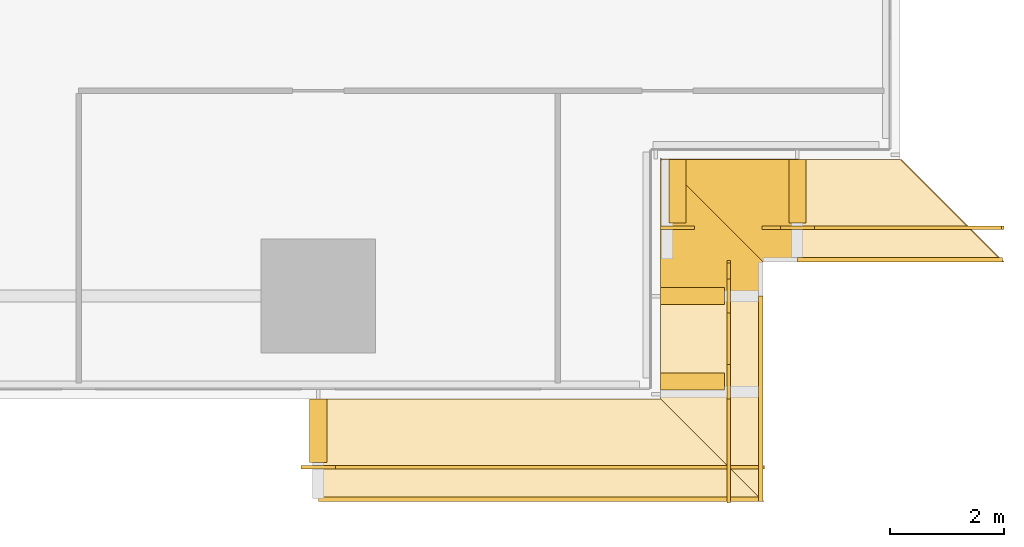
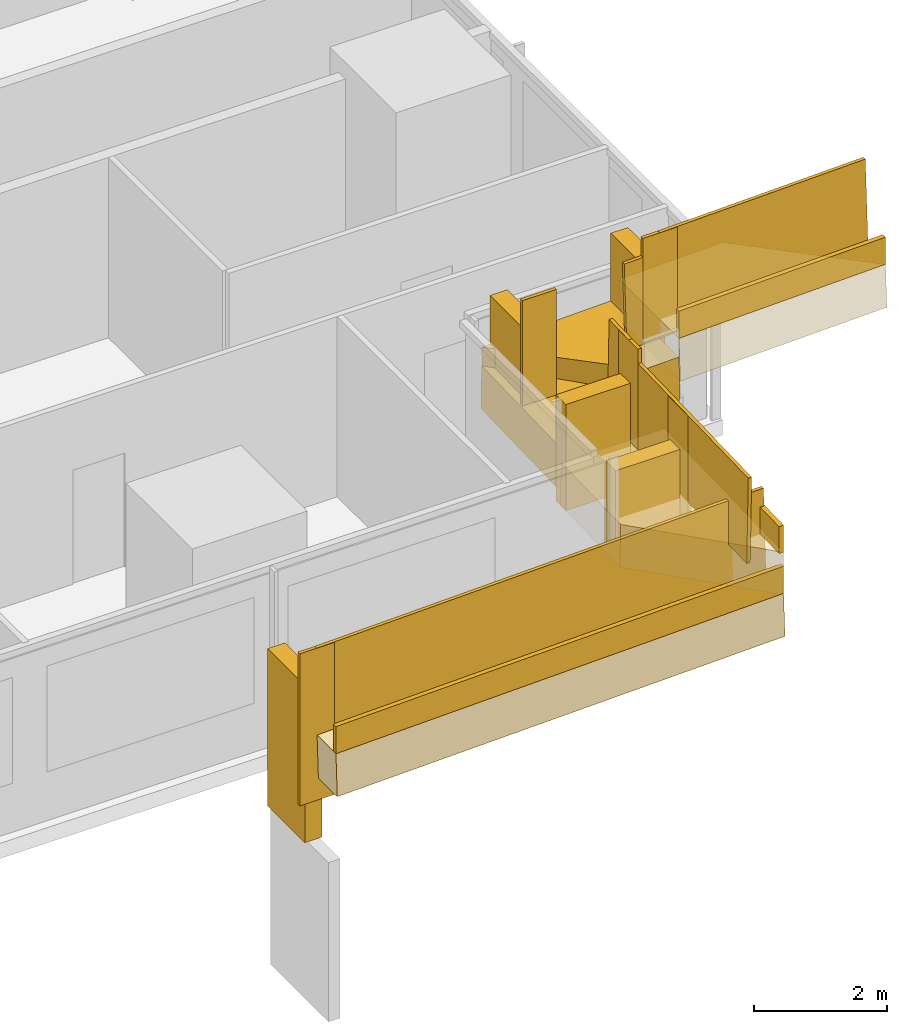
# One storey, part 28 of 30: 13 coverings, 10 railings.
"""IFC4 building model written with IfcOpenShell, lengths in metres."""

from ifc_helpers import new_model, si_unit, direction, frame, origin, origin_2d, place, context, subcontext, project, spatial, polyline, rectangle, outline, extrude, material, layer, layer_set, type_object, element, save


model = new_model("IFC4")

# Units and contexts
model_context = context("Model", 3, precision=1e-05, world=origin(), true_north=direction((0.0, 1.0)))
body_context = subcontext(model_context, "Body", "Model", "MODEL_VIEW")
ifc_project = project(units=[si_unit("LENGTHUNIT", "METRE"), si_unit("AREAUNIT", "SQUARE_METRE"), si_unit("VOLUMEUNIT", "CUBIC_METRE"), si_unit("PLANEANGLEUNIT", "RADIAN"), si_unit("MASSUNIT", "GRAM", prefix="KILO")], contexts=[model_context])

# Site, building, storey
site_placement = place(None, origin())
site = spatial("IfcSite", under=ifc_project, at=site_placement, CompositionType="ELEMENT")
building_placement = place(site_placement, origin())
building = spatial("IfcBuilding", under=site, at=building_placement, Name="Saffron Gate Tower", CompositionType="ELEMENT")
storey_placement = place(building_placement, frame((0.0, 0.0, 127.64990234375)))
storey = spatial("IfcBuildingStorey", under=building, at=storey_placement, Name="L30", CompositionType="ELEMENT", Elevation=127.64990234375)

# Coverings
ifc_material = material(Name="Timber, thermally modified ash", Category="wood")
ifc_layer_1 = layer(ifc_material, 0.800048828125)
ifc_layer_set_1 = layer_set([ifc_layer_1], Name="LD1 ledge timber")
covering_type_1 = type_object("IfcCoveringType", Name="LD1 ledge timber", PredefinedType="CLADDING", material=ifc_layer_set_1)
covering_1_placement = place(storey_placement, frame((117.0, 30.0, 1.0556640625), z_axis=(-0.028807146299, 3.5027307e-05, 0.99958498743), x_axis=(0.999584988043, 3.68e-10, 0.028807146316)))
element("IfcCovering", 1, at=covering_1_placement, inside=storey, type_object=covering_type_1, Name="LEDGE", PredefinedType="CLADDING", context=body_context, shape_type="SweptSolid", body=[
    extrude(outline(polyline([(0.0, 0.0), (6.0024892885105, -2.541098841762901e-21), (7.8032891020589235, -1.8000488321003227), (-6.622937652878055e-10, -1.8000488270207489), (0.0, 0.0)])), origin(), (0.0, 0.0, -1.0), 0.800048828125),
])
covering_2_placement = place(storey_placement, frame((123.0, 30.0, 2.0859375), z_axis=(0.0, -0.028741681402, 0.999586872538), x_axis=(0.0, 0.999586872538, 0.028741681402)))
element("IfcCovering", 2, at=covering_2_placement, inside=storey, type_object=covering_type_1, Name="LEDGE", PredefinedType="CLADDING", context=body_context, shape_type="SweptSolid", body=[
    extrude(outline(polyline([(0.0, 0.0), (1.8007927850779974, 0.0), (1.8007927850779974, -1.800048828125), (-1.8007927850779974, -1.800048828125), (0.0, 0.0)])), origin(), (0.0, 0.0, -1.0), 0.800048828125),
])
covering_3_placement = place(storey_placement, frame((123.0, 31.800048828125, 2.39501953125), z_axis=(-2.8677152e-05, -0.028798988267, 0.999585222706), x_axis=(-6.17e-10, 0.999585223117, 0.028798988279)))
element("IfcCovering", 3, at=covering_3_placement, inside=storey, type_object=covering_type_1, Name="LEDGE", PredefinedType="CLADDING", context=body_context, shape_type="SweptSolid", body=[
    extrude(outline(polyline([(0.0, 0.0), (2.400896693585025, 4.235164736271502e-22), (0.6001039103565923, -1.8000488292351675), (-1.1098572600196767e-09, -1.8000488273848385), (0.0, 0.0)])), origin(), (0.0, 0.0, -1.0), 0.800048828125),
])
covering_4_placement = place(storey_placement, frame((123.0, 34.199951171875, 2.80712890625), z_axis=(-0.028798988267, -2.8677152e-05, 0.999585222706), x_axis=(0.999585223117, -6.17e-10, 0.028798988279)))
element("IfcCovering", 4, at=covering_4_placement, inside=storey, type_object=covering_type_1, Name="LEDGE", PredefinedType="CLADDING", context=body_context, shape_type="SweptSolid", body=[
    extrude(outline(polyline([(0.0, 0.0), (2.400896693585025, -4.235164736271502e-22), (2.400896694694882, -1.8000488273848385), (1.8007927832284332, -1.8000488292351673), (0.0, 0.0)])), origin(), (0.0, 0.0, -1.0), 0.800048828125),
])
covering_5_placement = place(storey_placement, frame((125.39990234375, 34.199951171875, 3.21923828125), z_axis=(-0.028786835276, 4.5191264e-05, 0.999585572161), x_axis=(0.999585573182, 2.041e-09, 0.028786835305)))
element("IfcCovering", 5, at=covering_5_placement, inside=storey, type_object=covering_type_1, Name="LEDGE", PredefinedType="CLADDING", context=body_context, shape_type="SweptSolid", body=[
    extrude(outline(polyline([(0.0, 0.0), (1.8007927832406818, 0.0), (3.601592590842695, -1.8000488373153904), (-3.674631647332522e-09, -1.800048826286925), (0.0, 0.0)])), origin(), (0.0, 0.0, -1.0), 0.800048828125),
])
ifc_layer_2 = layer(ifc_material, 0.080078125)
ifc_layer_set_2 = layer_set([ifc_layer_2], Name="LD2 ledge planter trough")
covering_type_2 = type_object("IfcCoveringType", Name="LD2 ledge planter trough", PredefinedType="CLADDING", material=ifc_layer_set_2)
covering_6_placement = place(storey_placement, frame((117.0, 28.199951171875, 1.0556640625), z_axis=(0.0, -1.0, 0.0), x_axis=(0.999584755248, 0.0, 0.028815222999)))
element("IfcCovering", 6, at=covering_6_placement, inside=storey, type_object=covering_type_2, Name="LEDGE planter trough", PredefinedType="CLADDING", context=body_context, shape_type="SweptSolid", body=[
    extrude(outline(polyline([(0.0, 0.0), (7.803289102975944, 0.0), (7.8176967144752565, 0.4997923776238338), (0.014407611499312996, 0.4997923776238338), (0.0, 0.0)])), origin(), (0.0, 0.0, -1.0), 0.080078125),
])
covering_7_placement = place(storey_placement, frame((124.800048828125, 28.199951171875, 2.0341796875), z_axis=(1.0, 0.0, 0.0), x_axis=(0.0, 0.999586872538, 0.028741681402)))
element("IfcCovering", 7, at=covering_7_placement, inside=storey, type_object=covering_type_2, Name="LEDGE planter trough", PredefinedType="CLADDING", context=body_context, shape_type="SweptSolid", body=[
    extrude(outline(polyline([(0.0, 0.0), (3.601585570155995, 0.0), (3.6159564108570694, 0.49979343626896944), (0.014370840701074394, 0.4997934362689694), (0.0, 0.0)])), origin(), (0.0, 0.0, -1.0), 0.080078125),
])
covering_8_placement = place(storey_placement, frame((125.39990234375, 32.39990234375, 3.21923828125), z_axis=(0.0, -1.0, 0.0), x_axis=(0.99958492274, 0.0, 0.028809412191)))
element("IfcCovering", 8, at=covering_8_placement, inside=storey, type_object=covering_type_2, Name="LEDGE planter trough", PredefinedType="CLADDING", context=body_context, shape_type="SweptSolid", body=[
    extrude(outline(polyline([(0.0, 0.0), (3.601592595435983, 0.0), (3.6159973015313485, 0.4997924613700232), (0.014404706095365512, 0.4997924613700232), (0.0, 0.0)])), origin(), (0.0, 0.0, -1.0), 0.080078125),
])
ifc_layer_3 = layer(ifc_material, 0.300048828125)
ifc_layer_set_3 = layer_set([ifc_layer_3], Name="LD3 ledge riser fin")
covering_type_3 = type_object("IfcCoveringType", Name="LD3 ledge riser fin", PredefinedType="CLADDING", material=ifc_layer_set_3)
covering_9_placement = place(storey_placement, frame((117.0, 29.43994140625, -0.944580078125), z_axis=(0.0, 0.0, 1.0), x_axis=(1.0, 0.0, 0.0)))
element("IfcCovering", 9, at=covering_9_placement, inside=storey, type_object=covering_type_3, Name="LEDGE riser fin", PredefinedType="CLADDING", context=body_context, shape_type="SweptSolid", body=[
    extrude(rectangle(XDim=0.300048828125, YDim=1.1201171875, at=origin_2d()), origin(), (0.0, 0.0, 1.0), 2.900390625),
])
covering_10_placement = place(storey_placement, frame((123.56005859375, 30.300048828125, 0.4287109375), z_axis=(0.0, 0.0, 1.0), x_axis=(0.0, 1.0, 0.0)))
element("IfcCovering", 10, at=covering_10_placement, inside=storey, type_object=covering_type_3, Name="LEDGE riser fin", PredefinedType="CLADDING", context=body_context, shape_type="SweptSolid", body=[
    extrude(rectangle(XDim=0.300048828125, YDim=1.1201171875, at=origin_2d()), origin(), (0.0, 0.0, 1.0), 2.557373046875),
])
covering_11_placement = place(storey_placement, frame((123.56005859375, 31.800048828125, 1.337890625), z_axis=(0.0, 0.0, 1.0), x_axis=(0.0, 1.0, 0.0)))
element("IfcCovering", 11, at=covering_11_placement, inside=storey, type_object=covering_type_3, Name="LEDGE riser fin", PredefinedType="CLADDING", context=body_context, shape_type="SweptSolid", body=[
    extrude(rectangle(XDim=0.300048828125, YDim=1.1201171875, at=origin_2d()), origin(), (0.0, 0.0, 1.0), 1.957275390625),
])
for number, where, z_axis, x_axis, name in (
    (12, (123.300048828125, 33.639892578125, 1.6640625), (0.0, 0.0, 1.0), (1.0, 0.0, 0.0), "LEDGE riser fin"),
    (13, (125.39990234375, 33.639892578125, 2.076171875), (0.0, 0.0, 1.0), (1.0, 0.0, 0.0), "LEDGE riser fin"),
):
    element("IfcCovering", number, at=place(storey_placement, frame(where, z_axis=z_axis, x_axis=x_axis)), inside=storey, type_object=covering_type_3, Name=name, PredefinedType="CLADDING", context=body_context, shape_type="SweptSolid", body=[
        extrude(rectangle(XDim=0.300048828125, YDim=1.1201171875, at=origin_2d()), origin(), (0.0, 0.0, 1.0), 2.04296875),
    ])

# Railings
railing_type = type_object("IfcRailingType", Name="LG1 ledge balustrade", PredefinedType="BALUSTRADE", material=ifc_material)
railing_1_placement = place(storey_placement, frame((117.0, 28.800048828125, 1.0556640625)))
element("IfcRailing", 14, at=railing_1_placement, inside=storey, type_object=railing_type, Name="LEDGE BALUSTRADE", PredefinedType="BALUSTRADE", context=body_context, shape_type="SweptSolid", body=[
    extrude(rectangle(XDim=0.06005859375, YDim=1.60009765625, at=origin_2d()), frame((0.0, 0.0, 0.800048828125), z_axis=(0.999584755248, 0.0, 0.028815222999), x_axis=(0.0, 1.0, 0.0)), (0.0, 0.0, 1.0), 7.80322265625),
])
railing_2_placement = place(storey_placement, frame((116.699951171875, 28.800048828125, -0.14453125)))
element("IfcRailing", 15, at=railing_2_placement, inside=storey, type_object=railing_type, Name="LEDGE BALUSTRADE", PredefinedType="BALUSTRADE", context=body_context, shape_type="SweptSolid", body=[
    extrude(rectangle(XDim=0.06005859375, YDim=2.80029296875, at=origin_2d()), frame((0.0, 0.0, 1.400146484375), z_axis=(1.0, 0.0, 0.0), x_axis=(0.0, 1.0, 0.0)), (0.0, 0.0, 1.0), 0.60009765625),
])
railing_3_placement = place(storey_placement, frame((124.199951171875, 28.199951171875, 2.0341796875)))
element("IfcRailing", 16, at=railing_3_placement, inside=storey, type_object=railing_type, Name="LEDGE BALUSTRADE", PredefinedType="BALUSTRADE", context=body_context, shape_type="SweptSolid", body=[
    extrude(rectangle(XDim=0.06005859375, YDim=1.60009765625, at=origin_2d()), frame((0.0, 0.0, 0.800048828125), z_axis=(0.0, 0.999586872538, 0.028741681402), x_axis=(-1.0, 0.0, 0.0)), (0.0, 0.0, 1.0), 3.6015625),
])
railing_4_placement = place(storey_placement, frame((124.199951171875, 30.0, 1.228515625)))
element("IfcRailing", 17, at=railing_4_placement, inside=storey, type_object=railing_type, Name="LEDGE BALUSTRADE", PredefinedType="BALUSTRADE", context=body_context, shape_type="SweptSolid", body=[
    extrude(rectangle(XDim=0.06005859375, YDim=2.45751953125, at=origin_2d()), frame((0.0, 0.0, 1.228759765625), z_axis=(0.0, 1.0, 0.0), x_axis=(-1.0, 0.0, 0.0)), (0.0, 0.0, 1.0), 0.60009765625),
])
railing_5_placement = place(storey_placement, frame((124.199951171875, 31.800048828125, 2.39501953125)))
element("IfcRailing", 18, at=railing_5_placement, inside=storey, type_object=railing_type, Name="LEDGE BALUSTRADE", PredefinedType="BALUSTRADE", context=body_context, shape_type="SweptSolid", body=[
    extrude(rectangle(XDim=0.06005859375, YDim=1.60009765625, at=origin_2d()), frame((0.0, 0.0, 0.800048828125), z_axis=(0.0, 0.999582742162, 0.028884971385), x_axis=(-1.0, 0.0, 0.0)), (0.0, 0.0, 1.0), 0.60009765625),
])
railing_6_placement = place(storey_placement, frame((124.199951171875, 31.5, 2.1376953125)))
element("IfcRailing", 19, at=railing_6_placement, inside=storey, type_object=railing_type, Name="LEDGE BALUSTRADE", PredefinedType="BALUSTRADE", context=body_context, shape_type="SweptSolid", body=[
    extrude(rectangle(XDim=0.06005859375, YDim=1.857177734375, at=origin_2d()), frame((0.0, 0.0, 0.9287109375), z_axis=(0.0, 1.0, 0.0), x_axis=(-1.0, 0.0, 0.0)), (0.0, 0.0, 1.0), 0.60009765625),
])
railing_7_placement = place(storey_placement, frame((124.800048828125, 33.0, 2.85888671875)))
element("IfcRailing", 20, at=railing_7_placement, inside=storey, type_object=railing_type, Name="LEDGE BALUSTRADE", PredefinedType="BALUSTRADE", context=body_context, shape_type="SweptSolid", body=[
    extrude(rectangle(XDim=0.06005859375, YDim=1.60009765625, at=origin_2d()), frame((0.0, 0.0, 0.800048828125), z_axis=(0.999582742162, 0.0, 0.028884971385), x_axis=(0.0, 1.0, 0.0)), (0.0, 0.0, 1.0), 0.60009765625),
])
railing_8_placement = place(storey_placement, frame((123.0, 33.0, 2.464111328125)))
element("IfcRailing", 21, at=railing_8_placement, inside=storey, type_object=railing_type, Name="LEDGE BALUSTRADE", PredefinedType="BALUSTRADE", context=body_context, shape_type="SweptSolid", body=[
    extrude(rectangle(XDim=0.06005859375, YDim=1.943115234375, at=origin_2d()), frame((0.0, 0.0, 0.9716796875), z_axis=(1.0, 0.0, 0.0), x_axis=(0.0, 1.0, 0.0)), (0.0, 0.0, 1.0), 0.60009765625),
])
railing_9_placement = place(storey_placement, frame((125.39990234375, 33.0, 3.21923828125)))
element("IfcRailing", 22, at=railing_9_placement, inside=storey, type_object=railing_type, Name="LEDGE BALUSTRADE", PredefinedType="BALUSTRADE", context=body_context, shape_type="SweptSolid", body=[
    extrude(rectangle(XDim=0.06005859375, YDim=1.60009765625, at=origin_2d()), frame((0.0, 0.0, 0.800048828125), z_axis=(0.99958492274, 0.0, 0.028809412191), x_axis=(0.0, 1.0, 0.0)), (0.0, 0.0, 1.0), 3.6015625),
])
railing_10_placement = place(storey_placement, frame((125.10009765625, 33.0, 2.876220703125)))
element("IfcRailing", 23, at=railing_10_placement, inside=storey, type_object=railing_type, Name="LEDGE BALUSTRADE", PredefinedType="BALUSTRADE", context=body_context, shape_type="SweptSolid", body=[
    extrude(rectangle(XDim=0.06005859375, YDim=1.943115234375, at=origin_2d()), frame((0.0, 0.0, 0.9716796875), z_axis=(1.0, 0.0, 0.0), x_axis=(0.0, 1.0, 0.0)), (0.0, 0.0, 1.0), 0.599853515625),
])

save(model, "model.ifc")
